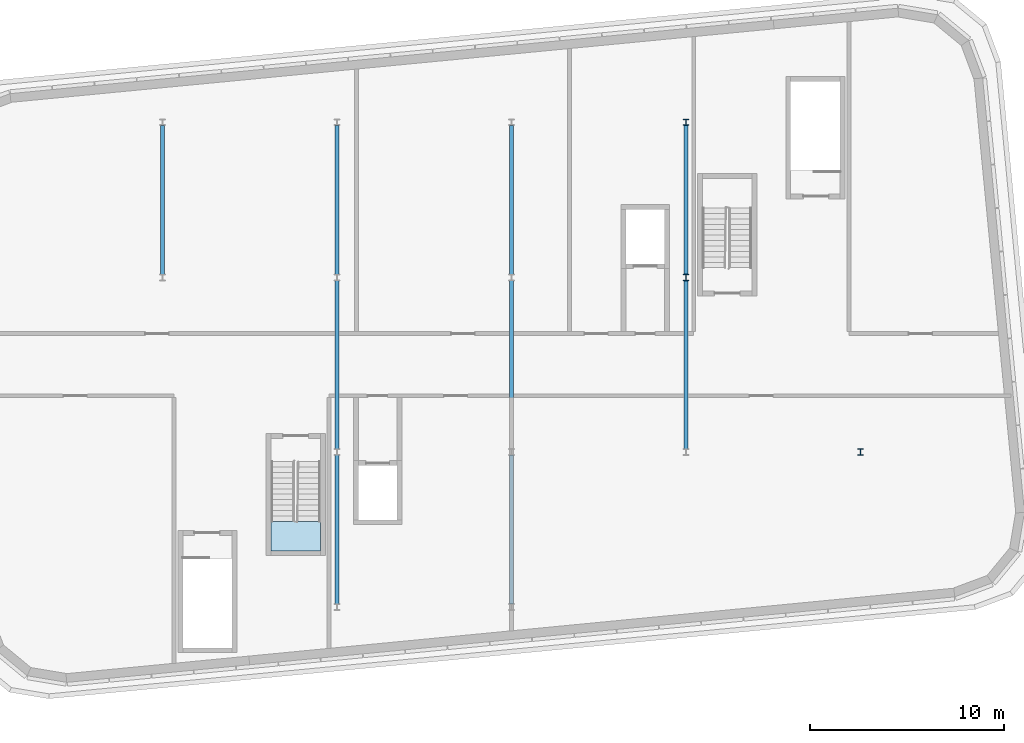
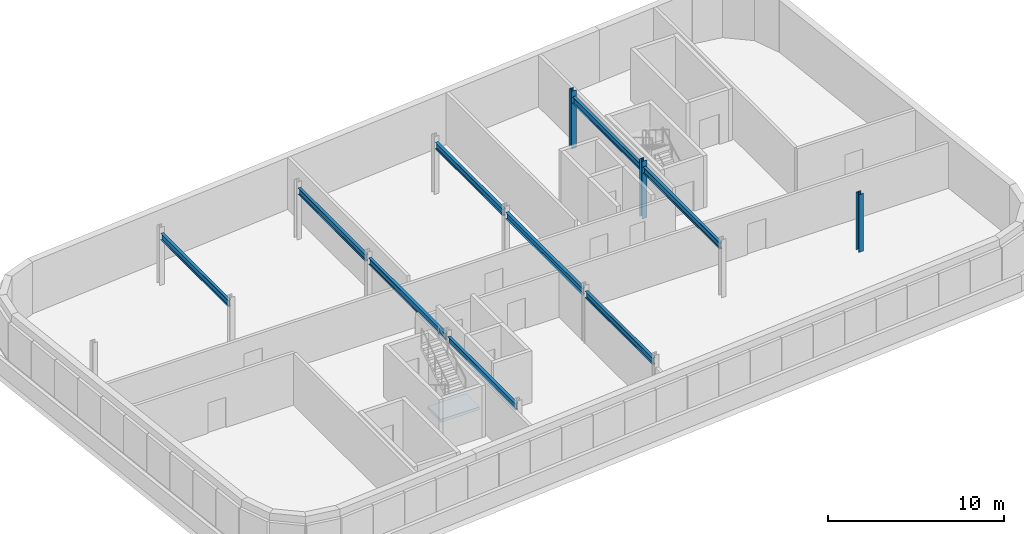
# One storey, part 2 of 6: 9 beams, 3 columns, 1 slab, 1 element without a shape of its own.
"""IFC4 building model written with IfcOpenShell, lengths in metres."""

from ifc_helpers import new_model, si_unit, direction, frame, origin, origin_2d, place, context, subcontext, project, spatial, polyline, i_section, outline, extrude, material, layer, layer_set, material_profile, profile_set, type_object, element, aggregate, save


model = new_model("IFC4")

# Units and contexts
model_context = context("Model", 3, precision=1e-05, world=origin(), true_north=direction((0.0, 1.0)))
body_context = subcontext(model_context, "Body", "Model", "MODEL_VIEW")
ifc_project = project(units=[si_unit("LENGTHUNIT", "METRE"), si_unit("AREAUNIT", "SQUARE_METRE"), si_unit("VOLUMEUNIT", "CUBIC_METRE"), si_unit("PLANEANGLEUNIT", "RADIAN"), si_unit("MASSUNIT", "GRAM", prefix="KILO")], contexts=[model_context])

# Site, building, storey
site_placement = place(None, origin())
site = spatial("IfcSite", under=ifc_project, at=site_placement, CompositionType="ELEMENT")
building_placement = place(site_placement, origin())
building = spatial("IfcBuilding", under=site, at=building_placement, Name="Kajstack Hotel Tower", CompositionType="ELEMENT")
storey_placement = place(building_placement, frame((0.0, 0.0, 321.800048828125)))
storey = spatial("IfcBuildingStorey", under=building, at=storey_placement, Name="L81", CompositionType="ELEMENT", Elevation=321.800048828125)

# Columns
ifc_material_1 = material(Name="Steel S355J2", Category="steel")
ifc_material_profile_1 = material_profile(ifc_material_1, i_section(OverallWidth=0.300048828125, OverallDepth=0.320068359375, WebThickness=0.011474609375, FlangeThickness=0.0205078125, FilletRadius=0.027099609375, at=origin_2d()), Name="HEB 320")
ifc_profile_set_1 = profile_set([ifc_material_profile_1], Name="Steel S355J2")
column_type = type_object("IfcColumnType", Name="CC2 HEB 320", PredefinedType="COLUMN", material=ifc_profile_set_1)
for number, where, z_axis, x_axis, name in (
    (1, (9.0, 4.5, 0.0), (0.0, 0.0, 1.0), (1.0, 0.0, 0.0), "S-col-c-L81-+9p0+4p5"),
    (2, (9.0, 12.5, 0.0), (0.0, 0.0, 1.0), (1.0, 0.0, 0.0), "S-col-c-L81-+9p0+12p5"),
    (3, (18.0, -4.5, 0.0), (0.0, 0.0, 1.0), (1.0, 0.0, 0.0), "S-col-c-L81-+18p0-4p5"),
):
    element("IfcColumn", number, at=place(storey_placement, frame(where, z_axis=z_axis, x_axis=x_axis)), inside=storey, type_object=column_type, Name=name, PredefinedType="COLUMN", context=body_context, shape_type="SweptSolid", body=[
        extrude(i_section(OverallWidth=0.300048828125, OverallDepth=0.320068359375, WebThickness=0.011474609375, FlangeThickness=0.0205078125, FilletRadius=0.027099609375, at=origin_2d()), origin(), (0.0, 0.0, 1.0), 4.0),
    ])

# Beams
ifc_material_profile_2 = material_profile(ifc_material_1, i_section(OverallWidth=0.18994140625, OverallDepth=0.449951171875, WebThickness=0.009521484375, FlangeThickness=0.0146484375, FilletRadius=0.02099609375, at=origin_2d()), Name="IPE 450")
ifc_profile_set_2 = profile_set([ifc_material_profile_2], Name="Steel S355J2")
beam_type = type_object("IfcBeamType", Name="CF2 IPE 450", PredefinedType="BEAM", material=ifc_profile_set_2)
for number, where, z_axis, x_axis, name in (
    (4, (-18.0, 4.659912109375, 3.375), (0.0, 1.0, 0.0), (-1.0, 0.0, 0.0), "S-beam-c-L81--18p0-1"),
    (5, (-9.0, -12.340087890625, 3.375), (0.0, 1.0, 0.0), (-1.0, 0.0, 0.0), "S-beam-c-L81--9p0-1"),
):
    element("IfcBeam", number, at=place(storey_placement, frame(where, z_axis=z_axis, x_axis=x_axis)), inside=storey, type_object=beam_type, Name=name, PredefinedType="BEAM", context=body_context, shape_type="SweptSolid", body=[
        extrude(i_section(OverallWidth=0.18994140625, OverallDepth=0.449951171875, WebThickness=0.009521484375, FlangeThickness=0.0146484375, FilletRadius=0.02099609375, at=origin_2d()), origin(), (0.0, 0.0, 1.0), 7.68017578125),
    ])
beam_1_placement = place(storey_placement, frame((-9.0, -4.340087890625, 3.375), z_axis=(0.0, 1.0, 0.0), x_axis=(-1.0, 0.0, 0.0)))
element("IfcBeam", 6, at=beam_1_placement, inside=storey, type_object=beam_type, Name="S-beam-c-L81--9p0-2", PredefinedType="BEAM", context=body_context, shape_type="SweptSolid", body=[
    extrude(i_section(OverallWidth=0.18994140625, OverallDepth=0.449951171875, WebThickness=0.009521484375, FlangeThickness=0.0146484375, FilletRadius=0.02099609375, at=origin_2d()), origin(), (0.0, 0.0, 1.0), 8.68017578125),
])
for number, where, z_axis, x_axis, name in (
    (7, (-9.0, 4.659912109375, 3.375), (0.0, 1.0, 0.0), (-1.0, 0.0, 0.0), "S-beam-c-L81--9p0-3"),
    (8, (0.0, -12.340087890625, 3.375), (0.0, 1.0, 0.0), (-1.0, 0.0, 0.0), "S-beam-c-L81-+0p0-1"),
):
    element("IfcBeam", number, at=place(storey_placement, frame(where, z_axis=z_axis, x_axis=x_axis)), inside=storey, type_object=beam_type, Name=name, PredefinedType="BEAM", context=body_context, shape_type="SweptSolid", body=[
        extrude(i_section(OverallWidth=0.18994140625, OverallDepth=0.449951171875, WebThickness=0.009521484375, FlangeThickness=0.0146484375, FilletRadius=0.02099609375, at=origin_2d()), origin(), (0.0, 0.0, 1.0), 7.68017578125),
    ])
beam_2_placement = place(storey_placement, frame((0.0, -4.340087890625, 3.375), z_axis=(0.0, 1.0, 0.0), x_axis=(-1.0, 0.0, 0.0)))
element("IfcBeam", 9, at=beam_2_placement, inside=storey, type_object=beam_type, Name="S-beam-c-L81-+0p0-2", PredefinedType="BEAM", context=body_context, shape_type="SweptSolid", body=[
    extrude(i_section(OverallWidth=0.18994140625, OverallDepth=0.449951171875, WebThickness=0.009521484375, FlangeThickness=0.0146484375, FilletRadius=0.02099609375, at=origin_2d()), origin(), (0.0, 0.0, 1.0), 8.68017578125),
])
beam_3_placement = place(storey_placement, frame((0.0, 4.659912109375, 3.375), z_axis=(0.0, 1.0, 0.0), x_axis=(-1.0, 0.0, 0.0)))
element("IfcBeam", 10, at=beam_3_placement, inside=storey, type_object=beam_type, Name="S-beam-c-L81-+0p0-3", PredefinedType="BEAM", context=body_context, shape_type="SweptSolid", body=[
    extrude(i_section(OverallWidth=0.18994140625, OverallDepth=0.449951171875, WebThickness=0.009521484375, FlangeThickness=0.0146484375, FilletRadius=0.02099609375, at=origin_2d()), origin(), (0.0, 0.0, 1.0), 7.68017578125),
])
beam_4_placement = place(storey_placement, frame((9.0, -4.340087890625, 3.375), z_axis=(0.0, 1.0, 0.0), x_axis=(-1.0, 0.0, 0.0)))
element("IfcBeam", 11, at=beam_4_placement, inside=storey, type_object=beam_type, Name="S-beam-c-L81-+9p0-1", PredefinedType="BEAM", context=body_context, shape_type="SweptSolid", body=[
    extrude(i_section(OverallWidth=0.18994140625, OverallDepth=0.449951171875, WebThickness=0.009521484375, FlangeThickness=0.0146484375, FilletRadius=0.02099609375, at=origin_2d()), origin(), (0.0, 0.0, 1.0), 8.68017578125),
])
beam_5_placement = place(storey_placement, frame((9.0, 4.659912109375, 3.375), z_axis=(0.0, 1.0, 0.0), x_axis=(-1.0, 0.0, 0.0)))
element("IfcBeam", 12, at=beam_5_placement, inside=storey, type_object=beam_type, Name="S-beam-c-L81-+9p0-2", PredefinedType="BEAM", context=body_context, shape_type="SweptSolid", body=[
    extrude(i_section(OverallWidth=0.18994140625, OverallDepth=0.449951171875, WebThickness=0.009521484375, FlangeThickness=0.0146484375, FilletRadius=0.02099609375, at=origin_2d()), origin(), (0.0, 0.0, 1.0), 7.68017578125),
])

# Stair, slab
ifc_material_2 = material(Name="Concrete C40/50", Category="concrete")
stair_type = type_object("IfcStairType", Name="Exit stair 1200", PredefinedType="HALF_TURN_STAIR", material=ifc_material_2)
stair_placement = place(storey_placement, origin())
stair = element("IfcStair", 13, at=stair_placement, inside=storey, type_object=stair_type, Name="L81 stair R1", PredefinedType="HALF_TURN_STAIR")
ifc_layer = layer(ifc_material_2, 0.199951171875)
ifc_layer_set = layer_set([ifc_layer], Name="Stair landing 200")
slab_type = type_object("IfcSlabType", Name="Stair landing 200", PredefinedType="LANDING", material=ifc_layer_set)
slab_placement = place(storey_placement, frame((0.0, 0.0, 1.800048828125)))
slab = element("IfcSlab", 14, at=slab_placement, type_object=slab_type, Name="R1 landing 1", PredefinedType="LANDING", context=body_context, shape_type="SweptSolid", body=[
    extrude(outline(polyline([(-12.39990234375, -8.080078125), (-12.39990234375, -9.60009765625), (-9.85009765625, -9.60009765625), (-9.85009765625, -8.080078125), (-12.39990234375, -8.080078125)])), origin(), (0.0, 0.0, 1.0), 0.199951171875),
])
aggregate(stair, [slab])

save(model, "model.ifc")
